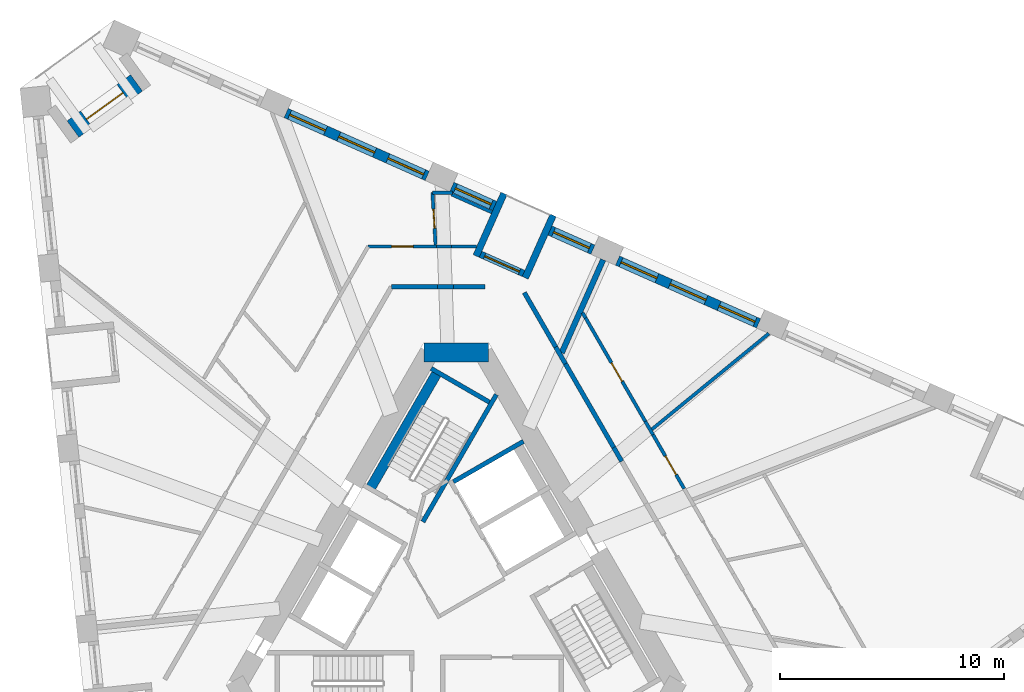
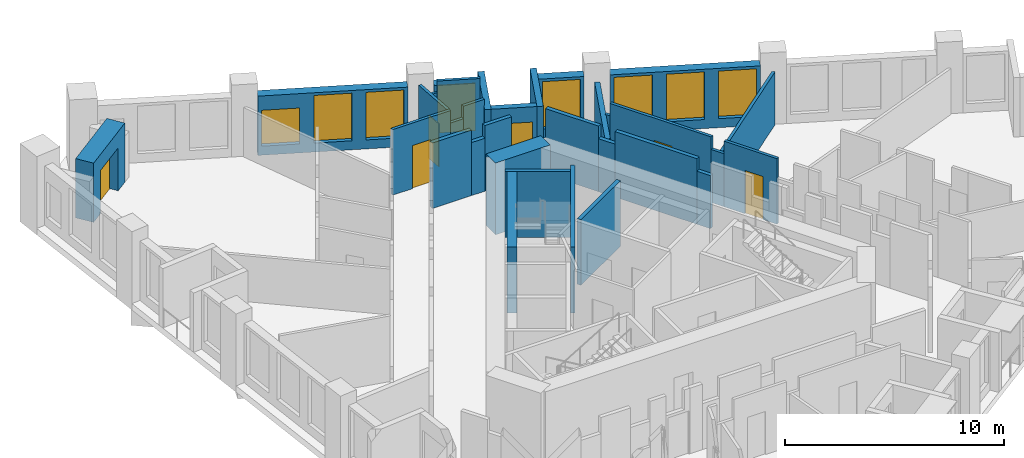
# One storey, part 8 of 14: 32 walls, 8 windows, 6 doors, 14 openings.
"""IFC4 building model written with IfcOpenShell, lengths in metres."""

from ifc_helpers import new_model, si_unit, direction, frame, frame_2d, origin, place, context, subcontext, project, spatial, rectangle, extrude, material, layer, layer_set, type_object, element, fill, save


model = new_model("IFC4")

# Units and contexts
model_context = context("Model", 3, precision=1e-05, world=origin(), true_north=direction((0.0, 1.0)))
body_context = subcontext(model_context, "Body", "Model", "MODEL_VIEW")
ifc_project = project(units=[si_unit("LENGTHUNIT", "METRE"), si_unit("AREAUNIT", "SQUARE_METRE"), si_unit("VOLUMEUNIT", "CUBIC_METRE"), si_unit("PLANEANGLEUNIT", "RADIAN"), si_unit("MASSUNIT", "GRAM", prefix="KILO")], contexts=[model_context])

# Site, building, storey
site_placement = place(None, origin())
site = spatial("IfcSite", under=ifc_project, at=site_placement, CompositionType="ELEMENT")
building_placement = place(site_placement, origin())
building = spatial("IfcBuilding", under=site, at=building_placement, Name="Tramontana Tower", CompositionType="ELEMENT")
storey_placement = place(building_placement, frame((0.0, 0.0, 162.800048828125)))
storey = spatial("IfcBuildingStorey", under=building, at=storey_placement, Name="L37", CompositionType="ELEMENT", Elevation=162.800048828125)

# Walls
ifc_material_1 = material(Name="Concrete 70 MPa", Category="concrete")
ifc_layer_1 = layer(ifc_material_1, 0.85009765625)
ifc_layer_set_1 = layer_set([ifc_layer_1], Name="Core wall 850 70 MPa")
wall_type_1 = type_object("IfcWallType", Name="Core wall 850 70 MPa", PredefinedType="SHEAR", material=ifc_layer_set_1)
wall_1_placement = place(storey_placement, frame((1.443359375, 10.574951171875, 0.0), z_axis=(0.0, 0.0, 1.0), x_axis=(-1.0, 0.0, 0.0)))
element("IfcWall", 1, at=wall_1_placement, inside=storey, type_object=wall_type_1, Name="Core wall C0 L37", PredefinedType="SHEAR", context=body_context, shape_type="SweptSolid", body=[
    extrude(rectangle(XDim=2.88671875, YDim=0.85009765625, at=frame_2d((1.443359375, 0.0))), origin(), (0.0, 0.0, 1.0), 4.0),
])
ifc_material_2 = material(Name="Blockwork", Category="masonry")
ifc_layer_2 = layer(ifc_material_2, 0.199951171875)
ifc_layer_set_2 = layer_set([ifc_layer_2], Name="ENTRY WALL 200")
wall_type_2 = type_object("IfcWallType", Name="ENTRY WALL 200", PredefinedType="SOLIDWALL", material=ifc_layer_set_2)
wall_2_placement = place(storey_placement, frame((3.034912109375, 13.243408203125, 0.0), z_axis=(0.0, 0.0, 1.0), x_axis=(0.499976698542, -0.86603885647, 0.0)))
element("IfcWall", 2, at=wall_2_placement, inside=storey, type_object=wall_type_2, Name="Wall v40-ew0-0", PredefinedType="SOLIDWALL", context=body_context, shape_type="SweptSolid", body=[
    extrude(rectangle(XDim=2.798583984375, YDim=0.199951171875, at=frame_2d((1.3994140625, 0.0))), origin(), (0.0, 0.0, 1.0), 3.64990234375),
])
wall_3_placement = place(storey_placement, frame((4.43408203125, 10.81982421875, 0.0), z_axis=(0.0, 0.0, 1.0), x_axis=(0.500023708017, -0.866011715522, 0.0)))
element("IfcWall", 3, at=wall_3_placement, inside=storey, type_object=wall_type_2, Name="Wall v40-ew0-1", PredefinedType="SOLIDWALL", context=body_context, shape_type="SweptSolid", body=[
    extrude(rectangle(XDim=0.865234375, YDim=0.199951171875, at=frame_2d((0.4326171875, 0.0))), origin(), (0.0, 0.0, 1.0), 2.949951171875),
])
wall_4_placement = place(storey_placement, frame((4.86669921875, 10.070556640625, 0.0), z_axis=(0.0, 0.0, 1.0), x_axis=(0.499992344383, -0.866029823712, 0.0)))
element("IfcWall", 4, at=wall_4_placement, inside=storey, type_object=wall_type_2, Name="Wall v40-ew0-2", PredefinedType="SOLIDWALL", context=body_context, shape_type="SweptSolid", body=[
    extrude(rectangle(XDim=4.306640625, YDim=0.199951171875, at=frame_2d((2.1533203125, 0.0))), origin(), (0.0, 0.0, 1.0), 3.64990234375),
])
wall_5_placement = place(storey_placement, frame((7.02001953125, 6.3408203125, 0.0), z_axis=(0.0, 0.0, 1.0), x_axis=(0.50012879774, -0.865951029603, 0.0)))
element("IfcWall", 5, at=wall_5_placement, inside=storey, type_object=wall_type_2, Name="Wall v40-ew0-3", PredefinedType="SOLIDWALL", context=body_context, shape_type="SweptSolid", body=[
    extrude(rectangle(XDim=0.710693359375, YDim=0.199951171875, at=frame_2d((0.35546875, 0.0))), origin(), (0.0, 0.0, 1.0), 2.949951171875),
])
wall_6_placement = place(storey_placement, frame((-2.88671875, 13.5, 0.0), z_axis=(0.0, 0.0, 1.0), x_axis=(1.0, 0.0, 0.0)))
element("IfcWall", 6, at=wall_6_placement, inside=storey, type_object=wall_type_2, Name="Wall v40-ew5-0", PredefinedType="SOLIDWALL", context=body_context, shape_type="SweptSolid", body=[
    extrude(rectangle(XDim=2.057861328125, YDim=0.199951171875, at=frame_2d((1.02880859375, 0.0))), origin(), (0.0, 0.0, 1.0), 3.64990234375),
])
wall_7_placement = place(storey_placement, frame((-0.828857421875, 13.5, 0.0), z_axis=(0.0, 0.0, 1.0), x_axis=(1.0, 0.0, 0.0)))
element("IfcWall", 7, at=wall_7_placement, inside=storey, type_object=wall_type_2, Name="Wall v40-ew5-1", PredefinedType="SOLIDWALL", context=body_context, shape_type="SweptSolid", body=[
    extrude(rectangle(XDim=0.700439453125, YDim=0.199951171875, at=frame_2d((0.35009765625, 0.0))), origin(), (0.0, 0.0, 1.0), 2.949951171875),
])
wall_8_placement = place(storey_placement, frame((-0.12841796875, 13.5, 0.0), z_axis=(0.0, 0.0, 1.0), x_axis=(1.0, 0.0, 0.0)))
element("IfcWall", 8, at=wall_8_placement, inside=storey, type_object=wall_type_2, Name="Wall v40-ew5-2", PredefinedType="SOLIDWALL", context=body_context, shape_type="SweptSolid", body=[
    extrude(rectangle(XDim=1.39990234375, YDim=0.199951171875, at=frame_2d((0.699951171875, 0.0))), origin(), (0.0, 0.0, 1.0), 3.64990234375),
])

# Wall, openings, windows
ifc_material_3 = material(Name="Precast concrete 60 MPa", Category="concrete")
ifc_layer_3 = layer(ifc_material_3, 0.449951171875)
ifc_layer_set_3 = layer_set([ifc_layer_3], Name="Precast concrete 60 MPa, 450 mm")
wall_type_3 = type_object("IfcWallType", Name="EW1 Stone-faced precast wall 450", PredefinedType="SOLIDWALL", material=ifc_layer_set_3)
wall_9_placement = place(storey_placement, frame((13.475830078125, 11.8701171875, 0.0), z_axis=(0.0, 0.0, 1.0), x_axis=(-0.913543675585, 0.40674064562, 0.0)))
wall_9 = element("IfcWall", 9, at=wall_9_placement, inside=storey, type_object=wall_type_3, Name="External wall L37 face 2 bay 3", PredefinedType="SOLIDWALL", context=body_context, shape_type="SweptSolid", body=[
    extrude(rectangle(XDim=6.8828125, YDim=0.449951171875, at=frame_2d((3.44140625, 0.0))), origin(), (0.0, 0.0, 1.0), 3.300048828125),
])
opening_1_placement = place(wall_9_placement, frame((0.172119140625, 0.0, 0.5)))
opening_1 = element("IfcOpeningElement", 10, at=opening_1_placement, cuts=wall_9, Name="Opening M2", PredefinedType="OPENING", context=body_context, shape_type="SweptSolid", body=[
    extrude(rectangle(XDim=1.75, YDim=2.64990234375, at=frame_2d((0.875, 1.324951171875))), frame((0.0, 0.23486328125, 0.0), z_axis=(0.0, -1.0, 0.0), x_axis=(1.0, 0.0, 0.0)), (0.0, 0.0, 1.0), 0.469970703125),
])
opening_2_placement = place(wall_9_placement, frame((2.56640625, 0.0, 0.5)))
opening_2 = element("IfcOpeningElement", 11, at=opening_2_placement, cuts=wall_9, Name="Opening M2", PredefinedType="OPENING", context=body_context, shape_type="SweptSolid", body=[
    extrude(rectangle(XDim=1.75, YDim=2.64990234375, at=frame_2d((0.875, 1.324951171875))), frame((0.0, 0.23486328125, 0.0), z_axis=(0.0, -1.0, 0.0), x_axis=(1.0, 0.0, 0.0)), (0.0, 0.0, 1.0), 0.469970703125),
])
opening_3_placement = place(wall_9_placement, frame((4.960693359375, 0.0, 0.5)))
opening_3 = element("IfcOpeningElement", 12, at=opening_3_placement, cuts=wall_9, Name="Opening M2", PredefinedType="OPENING", context=body_context, shape_type="SweptSolid", body=[
    extrude(rectangle(XDim=1.75, YDim=2.64990234375, at=frame_2d((0.875, 1.324951171875))), frame((0.0, 0.23486328125, 0.0), z_axis=(0.0, -1.0, 0.0), x_axis=(1.0, 0.0, 0.0)), (0.0, 0.0, 1.0), 0.469970703125),
])
ifc_material_4 = material(Name="Aluminum frame, double glazing unit", Category="aluminium")
window_type_1 = type_object("IfcWindowType", Name="M2 Window 1.75 x 2.65", PartitioningType="SINGLE_PANEL", PredefinedType="WINDOW", material=ifc_material_4)
window_1_placement = place(opening_1_placement, origin())
window_1 = element("IfcWindow", 13, at=window_1_placement, inside=storey, type_object=window_type_1, Name="Window M2 L37 face 2 module 7", OverallHeight=2.64990234375, OverallWidth=1.75, PartitioningType="SINGLE_PANEL", PredefinedType="WINDOW", context=body_context, shape_type="SweptSolid", body=[
    extrude(rectangle(XDim=1.75, YDim=2.64990234375, at=frame_2d((0.875, 1.324951171875))), frame((0.0, 0.030029296875, 0.0), z_axis=(0.0, -1.0, 0.0), x_axis=(1.0, 0.0, 0.0)), (0.0, 0.0, 1.0), 0.06005859375),
])
fill(opening_1, window_1)
window_2_placement = place(opening_2_placement, origin())
window_2 = element("IfcWindow", 14, at=window_2_placement, inside=storey, type_object=window_type_1, Name="Window M2 L37 face 2 module 8", OverallHeight=2.64990234375, OverallWidth=1.75, PartitioningType="SINGLE_PANEL", PredefinedType="WINDOW", context=body_context, shape_type="SweptSolid", body=[
    extrude(rectangle(XDim=1.75, YDim=2.64990234375, at=frame_2d((0.875, 1.324951171875))), frame((0.0, 0.030029296875, 0.0), z_axis=(0.0, -1.0, 0.0), x_axis=(1.0, 0.0, 0.0)), (0.0, 0.0, 1.0), 0.06005859375),
])
fill(opening_2, window_2)
window_3_placement = place(opening_3_placement, origin())
window_3 = element("IfcWindow", 15, at=window_3_placement, inside=storey, type_object=window_type_1, Name="Window M2 L37 face 2 module 9", OverallHeight=2.64990234375, OverallWidth=1.75, PartitioningType="SINGLE_PANEL", PredefinedType="WINDOW", context=body_context, shape_type="SweptSolid", body=[
    extrude(rectangle(XDim=1.75, YDim=2.64990234375, at=frame_2d((0.875, 1.324951171875))), frame((0.0, 0.030029296875, 0.0), z_axis=(0.0, -1.0, 0.0), x_axis=(1.0, 0.0, 0.0)), (0.0, 0.0, 1.0), 0.06005859375),
])
fill(opening_3, window_3)

# Wall, opening, window
wall_10_placement = place(storey_placement, frame((6.091796875, 15.15771484375, 0.0), z_axis=(0.0, 0.0, 1.0), x_axis=(-0.913537312596, 0.406754936657, 0.0)))
wall_10 = element("IfcWall", 16, at=wall_10_placement, inside=storey, type_object=wall_type_3, Name="External wall L37 face 2 bay 4", PredefinedType="SOLIDWALL", context=body_context, shape_type="SweptSolid", body=[
    extrude(rectangle(XDim=2.09423828125, YDim=0.449951171875, at=frame_2d((1.047119140625, 0.0))), origin(), (0.0, 0.0, 1.0), 3.300048828125),
])
opening_4_placement = place(wall_10_placement, frame((0.172119140625, 0.0, 0.5)))
opening_4 = element("IfcOpeningElement", 17, at=opening_4_placement, cuts=wall_10, Name="Opening M2", PredefinedType="OPENING", context=body_context, shape_type="SweptSolid", body=[
    extrude(rectangle(XDim=1.75, YDim=2.64990234375, at=frame_2d((0.875, 1.324951171875))), frame((0.0, 0.23486328125, 0.0), z_axis=(0.0, -1.0, 0.0), x_axis=(1.0, 0.0, 0.0)), (0.0, 0.0, 1.0), 0.469970703125),
])
window_4_placement = place(opening_4_placement, origin())
window_4 = element("IfcWindow", 18, at=window_4_placement, inside=storey, type_object=window_type_1, Name="Window M2 L37 face 2 module 10", OverallHeight=2.64990234375, OverallWidth=1.75, PartitioningType="SINGLE_PANEL", PredefinedType="WINDOW", context=body_context, shape_type="SweptSolid", body=[
    extrude(rectangle(XDim=1.75, YDim=2.64990234375, at=frame_2d((0.875, 1.324951171875))), frame((0.0, 0.030029296875, 0.0), z_axis=(0.0, -1.0, 0.0), x_axis=(1.0, 0.0, 0.0)), (0.0, 0.0, 1.0), 0.06005859375),
])
fill(opening_4, window_4)

wall_11_placement = place(storey_placement, frame((1.71728515625, 17.10546875, 0.0), z_axis=(0.0, 0.0, 1.0), x_axis=(-0.913556597974, 0.40671162056, 0.0)))
wall_11 = element("IfcWall", 19, at=wall_11_placement, inside=storey, type_object=wall_type_3, Name="External wall L37 face 2 bay 4", PredefinedType="SOLIDWALL", context=body_context, shape_type="SweptSolid", body=[
    extrude(rectangle(XDim=2.094482421875, YDim=0.449951171875, at=frame_2d((1.04736328125, 0.0))), origin(), (0.0, 0.0, 1.0), 3.300048828125),
])
opening_5_placement = place(wall_11_placement, frame((0.172119140625, 0.0, 0.5)))
opening_5 = element("IfcOpeningElement", 20, at=opening_5_placement, cuts=wall_11, Name="Opening M2", PredefinedType="OPENING", context=body_context, shape_type="SweptSolid", body=[
    extrude(rectangle(XDim=1.75, YDim=2.64990234375, at=frame_2d((0.875, 1.324951171875))), frame((0.0, 0.23486328125, 0.0), z_axis=(0.0, -1.0, 0.0), x_axis=(1.0, 0.0, 0.0)), (0.0, 0.0, 1.0), 0.469970703125),
])
window_5_placement = place(opening_5_placement, origin())
window_5 = element("IfcWindow", 21, at=window_5_placement, inside=storey, type_object=window_type_1, Name="Window M2 L37 face 2 module 12", OverallHeight=2.64990234375, OverallWidth=1.75, PartitioningType="SINGLE_PANEL", PredefinedType="WINDOW", context=body_context, shape_type="SweptSolid", body=[
    extrude(rectangle(XDim=1.75, YDim=2.64990234375, at=frame_2d((0.875, 1.324951171875))), frame((0.0, 0.030029296875, 0.0), z_axis=(0.0, -1.0, 0.0), x_axis=(1.0, 0.0, 0.0)), (0.0, 0.0, 1.0), 0.06005859375),
])
fill(opening_5, window_5)

# Wall, openings, windows
wall_12_placement = place(storey_placement, frame((-1.292236328125, 18.4453125, 0.0), z_axis=(0.0, 0.0, 1.0), x_axis=(-0.913543675585, 0.40674064562, 0.0)))
wall_12 = element("IfcWall", 22, at=wall_12_placement, inside=storey, type_object=wall_type_3, Name="External wall L37 face 2 bay 5", PredefinedType="SOLIDWALL", context=body_context, shape_type="SweptSolid", body=[
    extrude(rectangle(XDim=6.8828125, YDim=0.449951171875, at=frame_2d((3.44140625, 0.0))), origin(), (0.0, 0.0, 1.0), 3.300048828125),
])
opening_6_placement = place(wall_12_placement, frame((0.172119140625, 0.0, 0.5)))
opening_6 = element("IfcOpeningElement", 23, at=opening_6_placement, cuts=wall_12, Name="Opening M2", PredefinedType="OPENING", context=body_context, shape_type="SweptSolid", body=[
    extrude(rectangle(XDim=1.75, YDim=2.64990234375, at=frame_2d((0.875, 1.324951171875))), frame((0.0, 0.23486328125, 0.0), z_axis=(0.0, -1.0, 0.0), x_axis=(1.0, 0.0, 0.0)), (0.0, 0.0, 1.0), 0.469970703125),
])
opening_7_placement = place(wall_12_placement, frame((2.56640625, 0.0, 0.5)))
opening_7 = element("IfcOpeningElement", 24, at=opening_7_placement, cuts=wall_12, Name="Opening M2", PredefinedType="OPENING", context=body_context, shape_type="SweptSolid", body=[
    extrude(rectangle(XDim=1.75, YDim=2.64990234375, at=frame_2d((0.875, 1.324951171875))), frame((0.0, 0.23486328125, 0.0), z_axis=(0.0, -1.0, 0.0), x_axis=(1.0, 0.0, 0.0)), (0.0, 0.0, 1.0), 0.469970703125),
])
opening_8_placement = place(wall_12_placement, frame((4.960693359375, 0.0, 0.5)))
opening_8 = element("IfcOpeningElement", 25, at=opening_8_placement, cuts=wall_12, Name="Opening M2L", PredefinedType="OPENING", context=body_context, shape_type="SweptSolid", body=[
    extrude(rectangle(XDim=1.75, YDim=2.0, at=frame_2d((0.875, 1.0))), frame((0.0, 0.23486328125, 0.0), z_axis=(0.0, -1.0, 0.0), x_axis=(1.0, 0.0, 0.0)), (0.0, 0.0, 1.0), 0.469970703125),
])
window_6_placement = place(opening_6_placement, origin())
window_6 = element("IfcWindow", 26, at=window_6_placement, inside=storey, type_object=window_type_1, Name="Window M2 L37 face 2 module 13", OverallHeight=2.64990234375, OverallWidth=1.75, PartitioningType="SINGLE_PANEL", PredefinedType="WINDOW", context=body_context, shape_type="SweptSolid", body=[
    extrude(rectangle(XDim=1.75, YDim=2.64990234375, at=frame_2d((0.875, 1.324951171875))), frame((0.0, 0.030029296875, 0.0), z_axis=(0.0, -1.0, 0.0), x_axis=(1.0, 0.0, 0.0)), (0.0, 0.0, 1.0), 0.06005859375),
])
fill(opening_6, window_6)
window_7_placement = place(opening_7_placement, origin())
window_7 = element("IfcWindow", 27, at=window_7_placement, inside=storey, type_object=window_type_1, Name="Window M2 L37 face 2 module 14", OverallHeight=2.64990234375, OverallWidth=1.75, PartitioningType="SINGLE_PANEL", PredefinedType="WINDOW", context=body_context, shape_type="SweptSolid", body=[
    extrude(rectangle(XDim=1.75, YDim=2.64990234375, at=frame_2d((0.875, 1.324951171875))), frame((0.0, 0.030029296875, 0.0), z_axis=(0.0, -1.0, 0.0), x_axis=(1.0, 0.0, 0.0)), (0.0, 0.0, 1.0), 0.06005859375),
])
fill(opening_7, window_7)
ifc_material_5 = material(Name="Aluminum frame, double glazing unit", Category="aluminium")
window_type_2 = type_object("IfcWindowType", Name="M2L Window 1.75 x 2", PartitioningType="SINGLE_PANEL", PredefinedType="WINDOW", material=ifc_material_5)
window_8_placement = place(opening_8_placement, origin())
window_8 = element("IfcWindow", 28, at=window_8_placement, inside=storey, type_object=window_type_2, Name="Window M2L L37 face 2 module 15", OverallHeight=2.0, OverallWidth=1.75, PartitioningType="SINGLE_PANEL", PredefinedType="WINDOW", context=body_context, shape_type="SweptSolid", body=[
    extrude(rectangle(XDim=1.75, YDim=2.0, at=frame_2d((0.875, 1.0))), frame((0.0, 0.030029296875, 0.0), z_axis=(0.0, -1.0, 0.0), x_axis=(1.0, 0.0, 0.0)), (0.0, 0.0, 1.0), 0.06005859375),
])
fill(opening_8, window_8)

# Wall, opening, door
ifc_material_6 = material(Name="Precast concrete 60 MPa", Category="concrete")
ifc_layer_4 = layer(ifc_material_6, 0.89990234375)
ifc_layer_set_4 = layer_set([ifc_layer_4], Name="EW2 Stone-faced corner loggia wall 900")
wall_type_4 = type_object("IfcWallType", Name="EW2 Stone-faced corner loggia wall 900", PredefinedType="SOLIDWALL", material=ifc_layer_set_4)
wall_13_placement = place(storey_placement, frame((-17.080322265625, 20.53173828125, 0.0), z_axis=(0.0, 0.0, 1.0), x_axis=(0.809031597325, 0.587765152531, 0.0)))
wall_13 = element("IfcWall", 29, at=wall_13_placement, inside=storey, type_object=wall_type_4, Name="Corner loggia wall L37 K40", PredefinedType="SOLIDWALL", context=body_context, shape_type="SweptSolid", body=[
    extrude(rectangle(XDim=3.5, YDim=0.89990234375, at=frame_2d((1.75, 0.0))), origin(), (0.0, 0.0, 1.0), 3.300048828125),
])
opening_9_placement = place(wall_13_placement, frame((0.75, 0.0, 0.0)))
opening_9 = element("IfcOpeningElement", 30, at=opening_9_placement, cuts=wall_13, Name="Opening BD-40C", PredefinedType="OPENING", context=body_context, shape_type="SweptSolid", body=[
    extrude(rectangle(XDim=2.0, YDim=2.39990234375, at=frame_2d((1.0, 1.199951171875))), frame((0.0, 0.4599609375, 0.0), z_axis=(0.0, -1.0, 0.0), x_axis=(1.0, 0.0, 0.0)), (0.0, 0.0, 1.0), 0.919921875),
])
ifc_material_7 = material(Name="Aluminum frame, double glazing unit", Category="aluminium")
door_type_1 = type_object("IfcDoorType", Name="BC1 Sliding door 2 x 2.4", OperationType="SLIDING_TO_LEFT", PredefinedType="DOOR", material=ifc_material_7)
door_1_placement = place(opening_9_placement, origin())
door_1 = element("IfcDoor", 31, at=door_1_placement, inside=storey, type_object=door_type_1, Name="Corner loggia door L37 K40", OperationType="SLIDING_TO_LEFT", OverallHeight=2.39990234375, OverallWidth=2.0, PredefinedType="DOOR", context=body_context, shape_type="SweptSolid", body=[
    extrude(rectangle(XDim=2.0, YDim=2.39990234375, at=frame_2d((1.0, 1.199951171875))), frame((0.0, 0.02490234375, 0.0), z_axis=(0.0, -1.0, 0.0), x_axis=(1.0, 0.0, 0.0)), (0.0, 0.0, 1.0), 0.050048828125),
])
fill(opening_9, door_1)

ifc_material_8 = material(Name="Precast concrete 60 MPa", Category="concrete")
ifc_layer_5 = layer(ifc_material_8, 0.300048828125)
ifc_layer_set_5 = layer_set([ifc_layer_5], Name="LW1 Stone-faced loggia wall 300")
wall_type_5 = type_object("IfcWallType", Name="LW1 Stone-faced loggia wall 300", PredefinedType="SOLIDWALL", material=ifc_layer_set_5)
wall_14_placement = place(storey_placement, frame((2.99951171875, 14.098876953125, 0.0), z_axis=(0.0, 0.0, 1.0), x_axis=(-0.913537312596, 0.406754936657, 0.0)))
wall_14 = element("IfcWall", 32, at=wall_14_placement, inside=storey, type_object=wall_type_5, Name="Loggia wall L37 G4S2.10", PredefinedType="SOLIDWALL", context=body_context, shape_type="SweptSolid", body=[
    extrude(rectangle(XDim=2.09423828125, YDim=0.300048828125, at=frame_2d((1.047119140625, 0.0))), origin(), (0.0, 0.0, 1.0), 3.300048828125),
])
opening_10_placement = place(wall_14_placement, frame((0.197265625, 0.0, 0.0)))
opening_10 = element("IfcOpeningElement", 33, at=opening_10_placement, cuts=wall_14, Name="Opening BD-4S2-10", PredefinedType="OPENING", context=body_context, shape_type="SweptSolid", body=[
    extrude(rectangle(XDim=1.699951171875, YDim=2.449951171875, at=frame_2d((0.85009765625, 1.22509765625))), frame((0.0, 0.159912109375, 0.0), z_axis=(0.0, -1.0, 0.0), x_axis=(1.0, 0.0, 0.0)), (0.0, 0.0, 1.0), 0.320068359375),
])
ifc_material_9 = material(Name="Aluminum frame, double glazing unit", Category="aluminium")
door_type_2 = type_object("IfcDoorType", Name="BD2 Sliding door 1.7 x 2.45", OperationType="SLIDING_TO_LEFT", PredefinedType="DOOR", material=ifc_material_9)
door_2_placement = place(opening_10_placement, origin())
door_2 = element("IfcDoor", 34, at=door_2_placement, inside=storey, type_object=door_type_2, Name="Loggia door L37 G4S2.10", OperationType="SLIDING_TO_LEFT", OverallHeight=2.449951171875, OverallWidth=1.699951171875, PredefinedType="DOOR", context=body_context, shape_type="SweptSolid", body=[
    extrude(rectangle(XDim=1.699951171875, YDim=2.449951171875, at=frame_2d((0.85009765625, 1.22509765625))), frame((0.0, 0.02490234375, 0.0), z_axis=(0.0, -1.0, 0.0), x_axis=(1.0, 0.0, 0.0)), (0.0, 0.0, 1.0), 0.050048828125),
])
fill(opening_10, door_2)

# Walls
wall_15_placement = place(storey_placement, frame((4.316162109375, 16.687255859375, 0.0), z_axis=(0.0, 0.0, 1.0), x_axis=(-0.406710256677, -0.913557205168, 0.0)))
element("IfcWall", 35, at=wall_15_placement, inside=storey, type_object=wall_type_5, Name="Loggia return L37 G4S2.10a", PredefinedType="SOLIDWALL", context=body_context, shape_type="SweptSolid", body=[
    extrude(rectangle(XDim=3.050048828125, YDim=0.300048828125, at=frame_2d((1.52490234375, 0.0))), origin(), (0.0, 0.0, 1.0), 3.300048828125),
])
wall_16_placement = place(storey_placement, frame((2.12890625, 17.660888671875, 0.0), z_axis=(0.0, 0.0, 1.0), x_axis=(-0.406806804169, -0.913514216683, 0.0)))
element("IfcWall", 36, at=wall_16_placement, inside=storey, type_object=wall_type_5, Name="Loggia return L37 G4S2.10b", PredefinedType="SOLIDWALL", context=body_context, shape_type="SweptSolid", body=[
    extrude(rectangle(XDim=3.0498046875, YDim=0.300048828125, at=frame_2d((1.52490234375, 0.0))), origin(), (0.0, 0.0, 1.0), 3.300048828125),
])

# Wall, opening, door
ifc_material_10 = material(Name="Gypsum board partition")
ifc_layer_6 = layer(ifc_material_10, 0.14990234375)
ifc_layer_set_6 = layer_set([ifc_layer_6], Name="PARTITION 150")
wall_type_6 = type_object("IfcWallType", Name="PARTITION 150", PredefinedType="PARTITIONING", material=ifc_layer_set_6)
wall_17_placement = place(storey_placement, frame((-3.926025390625, 15.300048828125, 0.0), z_axis=(0.0, 0.0, 1.0), x_axis=(1.0, 0.0, 0.0)))
wall_17 = element("IfcWall", 37, at=wall_17_placement, inside=storey, type_object=wall_type_6, Name="Wall v40-pw16-0", PredefinedType="PARTITIONING", context=body_context, shape_type="SweptSolid", body=[
    extrude(rectangle(XDim=3.0458984375, YDim=0.14990234375, at=frame_2d((1.52294921875, 0.0))), origin(), (0.0, 0.0, 1.0), 3.64990234375),
])
opening_11_placement = place(wall_17_placement, frame((1.052001953125, 0.0, 0.0)))
opening_11 = element("IfcOpeningElement", 38, at=opening_11_placement, cuts=wall_17, Name="Opening B4A-04", PredefinedType="OPENING", context=body_context, shape_type="SweptSolid", body=[
    extrude(rectangle(XDim=0.949951171875, YDim=2.39990234375, at=frame_2d((0.47509765625, 1.199951171875))), frame((0.0, 0.0849609375, 0.0), z_axis=(0.0, -1.0, 0.0), x_axis=(1.0, 0.0, 0.0)), (0.0, 0.0, 1.0), 0.169921875),
])
ifc_material_11 = material(Name="Painted timber", Category="wood")
door_type_3 = type_object("IfcDoorType", Name="DOOR ROOM 950", OperationType="SINGLE_SWING_LEFT", PredefinedType="DOOR", material=ifc_material_11)
door_3_placement = place(opening_11_placement, origin())
door_3 = element("IfcDoor", 39, at=door_3_placement, inside=storey, type_object=door_type_3, Name="Door B4A-04", OperationType="SINGLE_SWING_RIGHT", OverallHeight=2.39990234375, OverallWidth=0.949951171875, PredefinedType="DOOR", context=body_context, shape_type="SweptSolid", body=[
    extrude(rectangle(XDim=0.949951171875, YDim=2.39990234375, at=frame_2d((0.47509765625, 1.199951171875))), frame((0.0, 0.02490234375, 0.0), z_axis=(0.0, -1.0, 0.0), x_axis=(1.0, 0.0, 0.0)), (0.0, 0.0, 1.0), 0.050048828125),
])
fill(opening_11, door_3)

# Walls
wall_18_placement = place(storey_placement, frame((-0.880126953125, 15.300048828125, 0.0), z_axis=(0.0, 0.0, 1.0), x_axis=(1.0, 0.0, 0.0)))
element("IfcWall", 40, at=wall_18_placement, inside=storey, type_object=wall_type_6, Name="Wall v40-pw16-1", PredefinedType="PARTITIONING", context=body_context, shape_type="SweptSolid", body=[
    extrude(rectangle(XDim=0.67529296875, YDim=0.14990234375, at=frame_2d((0.337646484375, 0.0))), origin(), (0.0, 0.0, 1.0), 2.949951171875),
])
wall_19_placement = place(storey_placement, frame((-0.204833984375, 15.300048828125, 0.0), z_axis=(0.0, 0.0, 1.0), x_axis=(1.0, 0.0, 0.0)))
element("IfcWall", 41, at=wall_19_placement, inside=storey, type_object=wall_type_6, Name="Wall v40-pw16-2", PredefinedType="PARTITIONING", context=body_context, shape_type="SweptSolid", body=[
    extrude(rectangle(XDim=1.1181640625, YDim=0.14990234375, at=frame_2d((0.55908203125, 0.0))), origin(), (0.0, 0.0, 1.0), 3.64990234375),
])
wall_20_placement = place(storey_placement, frame((-1.05859375, 17.699951171875, 0.0), z_axis=(0.0, 0.0, 1.0), x_axis=(1.0, 0.0, 0.0)))
element("IfcWall", 42, at=wall_20_placement, inside=storey, type_object=wall_type_6, Name="Wall v40-pw20-0", PredefinedType="PARTITIONING", context=body_context, shape_type="SweptSolid", body=[
    extrude(rectangle(XDim=0.88720703125, YDim=0.14990234375, at=frame_2d((0.443603515625, 0.0))), origin(), (0.0, 0.0, 1.0), 2.949951171875),
])

# Wall, opening, door
wall_21_placement = place(storey_placement, frame((-1.05859375, 17.699951171875, 0.0), z_axis=(0.0, 0.0, 1.0), x_axis=(0.059643707448, -0.998219729399, 0.0)))
wall_21 = element("IfcWall", 43, at=wall_21_placement, inside=storey, type_object=wall_type_6, Name="Wall v40-pw21", PredefinedType="PARTITIONING", context=body_context, shape_type="SweptSolid", body=[
    extrude(rectangle(XDim=2.3291015625, YDim=0.14990234375, at=frame_2d((1.16455078125, 0.0))), origin(), (0.0, 0.0, 1.0), 3.64990234375),
])
opening_12_placement = place(wall_21_placement, frame((0.739501953125, 0.0, 0.0)))
opening_12 = element("IfcOpeningElement", 44, at=opening_12_placement, cuts=wall_21, Name="Opening B4A-07", PredefinedType="OPENING", context=body_context, shape_type="SweptSolid", body=[
    extrude(rectangle(XDim=0.85009765625, YDim=2.39990234375, at=frame_2d((0.425048828125, 1.199951171875))), frame((0.0, 0.0849609375, 0.0), z_axis=(0.0, -1.0, 0.0), x_axis=(1.0, 0.0, 0.0)), (0.0, 0.0, 1.0), 0.169921875),
])
ifc_material_12 = material(Name="Painted timber", Category="wood")
door_type_4 = type_object("IfcDoorType", Name="DOOR BATH 850", OperationType="SINGLE_SWING_LEFT", PredefinedType="DOOR", material=ifc_material_12)
door_4_placement = place(opening_12_placement, origin())
door_4 = element("IfcDoor", 45, at=door_4_placement, inside=storey, type_object=door_type_4, Name="Door B4A-07", OperationType="SINGLE_SWING_LEFT", OverallHeight=2.39990234375, OverallWidth=0.85009765625, PredefinedType="DOOR", context=body_context, shape_type="SweptSolid", body=[
    extrude(rectangle(XDim=0.85009765625, YDim=2.39990234375, at=frame_2d((0.425048828125, 1.199951171875))), frame((0.0, 0.02490234375, 0.0), z_axis=(0.0, -1.0, 0.0), x_axis=(1.0, 0.0, 0.0)), (0.0, 0.0, 1.0), 0.050048828125),
])
fill(opening_12, door_4)

# Walls
wall_22_placement = place(storey_placement, frame((-0.2060546875, 17.622314453125, 0.0), z_axis=(0.0, 0.0, 1.0), x_axis=(0.91356059905, -0.406702633214, 0.0)))
element("IfcWall", 46, at=wall_22_placement, inside=storey, type_object=wall_type_6, Name="Wall v40-pw22", PredefinedType="PARTITIONING", context=body_context, shape_type="SweptSolid", body=[
    extrude(rectangle(XDim=1.967041015625, YDim=0.14990234375, at=frame_2d((0.9833984375, 0.0))), origin(), (0.0, 0.0, 1.0), 3.64990234375),
])
wall_23_placement = place(storey_placement, frame((5.6328125, 12.34375, 0.0), z_axis=(0.0, 0.0, 1.0), x_axis=(0.4996419034, -0.866232052263, 0.0)))
element("IfcWall", 47, at=wall_23_placement, inside=storey, type_object=wall_type_6, Name="Wall v40-pw24-0", PredefinedType="PARTITIONING", context=body_context, shape_type="SweptSolid", body=[
    extrude(rectangle(XDim=0.262451171875, YDim=0.14990234375, at=frame_2d((0.13134765625, 0.0))), origin(), (0.0, 0.0, 1.0), 2.949951171875),
])

# Wall, opening, door
wall_24_placement = place(storey_placement, frame((5.763916015625, 12.116455078125, 0.0), z_axis=(0.0, 0.0, 1.0), x_axis=(0.500004172341, -0.866022994869, 0.0)))
wall_24 = element("IfcWall", 48, at=wall_24_placement, inside=storey, type_object=wall_type_6, Name="Wall v40-pw24-1", PredefinedType="PARTITIONING", context=body_context, shape_type="SweptSolid", body=[
    extrude(rectangle(XDim=5.326171875, YDim=0.14990234375, at=frame_2d((2.6630859375, 0.0))), origin(), (0.0, 0.0, 1.0), 3.64990234375),
])
opening_13_placement = place(wall_24_placement, frame((2.31201171875, 0.0, 0.0)))
opening_13 = element("IfcOpeningElement", 49, at=opening_13_placement, cuts=wall_24, Name="Opening B4A-19", PredefinedType="OPENING", context=body_context, shape_type="SweptSolid", body=[
    extrude(rectangle(XDim=0.949951171875, YDim=2.39990234375, at=frame_2d((0.47509765625, 1.199951171875))), frame((0.0, 0.0849609375, 0.0), z_axis=(0.0, -1.0, 0.0), x_axis=(1.0, 0.0, 0.0)), (0.0, 0.0, 1.0), 0.169921875),
])
door_5_placement = place(opening_13_placement, origin())
door_5 = element("IfcDoor", 50, at=door_5_placement, inside=storey, type_object=door_type_3, Name="Door B4A-19", OperationType="SINGLE_SWING_LEFT", OverallHeight=2.39990234375, OverallWidth=0.949951171875, PredefinedType="DOOR", context=body_context, shape_type="SweptSolid", body=[
    extrude(rectangle(XDim=0.949951171875, YDim=2.39990234375, at=frame_2d((0.47509765625, 1.199951171875))), frame((0.0, 0.02490234375, 0.0), z_axis=(0.0, -1.0, 0.0), x_axis=(1.0, 0.0, 0.0)), (0.0, 0.0, 1.0), 0.050048828125),
])
fill(opening_13, door_5)

# Wall
wall_25_placement = place(storey_placement, frame((8.427001953125, 7.50390625, 0.0), z_axis=(0.0, 0.0, 1.0), x_axis=(0.50012328804, -0.865954211699, 0.0)))
element("IfcWall", 51, at=wall_25_placement, inside=storey, type_object=wall_type_6, Name="Wall v40-pw24-2", PredefinedType="PARTITIONING", context=body_context, shape_type="SweptSolid", body=[
    extrude(rectangle(XDim=0.685302734375, YDim=0.14990234375, at=frame_2d((0.3427734375, 0.0))), origin(), (0.0, 0.0, 1.0), 2.949951171875),
])

# Wall, opening, door
wall_26_placement = place(storey_placement, frame((8.769775390625, 6.910400390625, 0.0), z_axis=(0.0, 0.0, 1.0), x_axis=(0.50000932403, -0.866020020486, 0.0)))
wall_26 = element("IfcWall", 52, at=wall_26_placement, inside=storey, type_object=wall_type_6, Name="Wall v40-pw24-3", PredefinedType="PARTITIONING", context=body_context, shape_type="SweptSolid", body=[
    extrude(rectangle(XDim=2.77490234375, YDim=0.14990234375, at=frame_2d((1.387451171875, 0.0))), origin(), (0.0, 0.0, 1.0), 3.64990234375),
])
opening_14_placement = place(wall_26_placement, frame((1.1025390625, 0.0, 0.0)))
opening_14 = element("IfcOpeningElement", 53, at=opening_14_placement, cuts=wall_26, Name="Opening B4A-18", PredefinedType="OPENING", context=body_context, shape_type="SweptSolid", body=[
    extrude(rectangle(XDim=0.949951171875, YDim=2.39990234375, at=frame_2d((0.47509765625, 1.199951171875))), frame((0.0, 0.0849609375, 0.0), z_axis=(0.0, -1.0, 0.0), x_axis=(1.0, 0.0, 0.0)), (0.0, 0.0, 1.0), 0.169921875),
])
door_6_placement = place(opening_14_placement, origin())
door_6 = element("IfcDoor", 54, at=door_6_placement, inside=storey, type_object=door_type_3, Name="Door B4A-18", OperationType="SINGLE_SWING_RIGHT", OverallHeight=2.39990234375, OverallWidth=0.949951171875, PredefinedType="DOOR", context=body_context, shape_type="SweptSolid", body=[
    extrude(rectangle(XDim=0.949951171875, YDim=2.39990234375, at=frame_2d((0.47509765625, 1.199951171875))), frame((0.0, 0.02490234375, 0.0), z_axis=(0.0, -1.0, 0.0), x_axis=(1.0, 0.0, 0.0)), (0.0, 0.0, 1.0), 0.050048828125),
])
fill(opening_14, door_6)

# Walls
wall_27_placement = place(storey_placement, frame((8.719482421875, 7.1474609375, 0.0), z_axis=(0.0, 0.0, 1.0), x_axis=(0.77340025594, 0.633918010559, 0.0)))
element("IfcWall", 55, at=wall_27_placement, inside=storey, type_object=wall_type_6, Name="Wall v40-pw28-0", PredefinedType="PARTITIONING", context=body_context, shape_type="SweptSolid", body=[
    extrude(rectangle(XDim=6.740478515625, YDim=0.14990234375, at=frame_2d((3.3701171875, 0.0))), origin(), (0.0, 0.0, 1.0), 2.949951171875),
])
ifc_material_13 = material(Name="Blockwork", Category="masonry")
ifc_layer_7 = layer(ifc_material_13, 0.25)
ifc_layer_set_7 = layer_set([ifc_layer_7], Name="PARTY WALL 250")
wall_type_7 = type_object("IfcWallType", Name="PARTY WALL 250", PredefinedType="SOLIDWALL", material=ifc_layer_set_7)
wall_28_placement = place(storey_placement, frame((6.54833984375, 14.7080078125, 0.0), z_axis=(0.0, 0.0, 1.0), x_axis=(-0.406736768984, -0.913545401585, 0.0)))
element("IfcWall", 56, at=wall_28_placement, inside=storey, type_object=wall_type_7, Name="Wall v40-pw25-0", PredefinedType="SOLIDWALL", context=body_context, shape_type="SweptSolid", body=[
    extrude(rectangle(XDim=4.542724609375, YDim=0.25, at=frame_2d((2.271484375, 0.0))), origin(), (0.0, 0.0, 1.0), 2.949951171875),
])
ifc_material_14 = material(Name="Concrete 70 MPa", Category="concrete")
ifc_layer_8 = layer(ifc_material_14, 0.449951171875)
ifc_layer_set_8 = layer_set([ifc_layer_8], Name="Concrete 70 MPa, 450 mm")
wall_type_8 = type_object("IfcWallType", Name="RC SHAFT BACK WALL 450", PredefinedType="SOLIDWALL", material=ifc_layer_set_8)
wall_29_placement = place(storey_placement, frame((-0.7880859375, 9.784912109375, 0.0), z_axis=(0.0, 0.0, 1.0), x_axis=(-0.500009909098, -0.866019682689, 0.0)))
element("IfcWall", 57, at=wall_29_placement, inside=storey, type_object=wall_type_8, Name="Wall st1-back", PredefinedType="SOLIDWALL", context=body_context, shape_type="SweptSolid", body=[
    extrude(rectangle(XDim=6.199951171875, YDim=0.449951171875, at=frame_2d((3.10009765625, 0.0))), origin(), (0.0, 0.0, 1.0), 3.64990234375),
])
ifc_material_15 = material(Name="Concrete 70 MPa", Category="concrete")
ifc_layer_9 = layer(ifc_material_15, 0.199951171875)
ifc_layer_set_9 = layer_set([ifc_layer_9], Name="Concrete 70 MPa, 200 mm")
wall_type_9 = type_object("IfcWallType", Name="RC STAIR AND SHAFT WALL 200", PredefinedType="SOLIDWALL", material=ifc_layer_set_9)
wall_30_placement = place(storey_placement, frame((1.789794921875, 8.699951171875, 0.0), z_axis=(0.0, 0.0, 1.0), x_axis=(-0.499999959354, -0.866025427251, 0.0)))
element("IfcWall", 58, at=wall_30_placement, inside=storey, type_object=wall_type_9, Name="Wall st1-front", PredefinedType="SOLIDWALL", context=body_context, shape_type="SweptSolid", body=[
    extrude(rectangle(XDim=6.54931640625, YDim=0.199951171875, at=frame_2d((3.274658203125, 0.0))), origin(), (0.0, 0.0, 1.0), 3.64990234375),
])
wall_31_placement = place(storey_placement, frame((1.478515625, 8.36083984375, 0.0), z_axis=(0.0, 0.0, 1.0), x_axis=(-0.866031096941, 0.499990139034, 0.0)))
element("IfcWall", 59, at=wall_31_placement, inside=storey, type_object=wall_type_9, Name="Wall st1-far", PredefinedType="SOLIDWALL", context=body_context, shape_type="SweptSolid", body=[
    extrude(rectangle(XDim=3.0, YDim=0.199951171875, at=frame_2d((1.5, 0.0))), origin(), (0.0, 0.0, 1.0), 3.64990234375),
])
wall_32_placement = place(storey_placement, frame((-0.123046875, 4.813232421875, 0.0), z_axis=(0.0, 0.0, 1.0), x_axis=(0.866018442252, 0.500012057535, 0.0)))
element("IfcWall", 60, at=wall_32_placement, inside=storey, type_object=wall_type_9, Name="Wall row2-side2", PredefinedType="SOLIDWALL", context=body_context, shape_type="SweptSolid", body=[
    extrude(rectangle(XDim=3.60009765625, YDim=0.199951171875, at=frame_2d((1.800048828125, 0.0))), origin(), (0.0, 0.0, 1.0), 3.64990234375),
])

save(model, "model.ifc")
